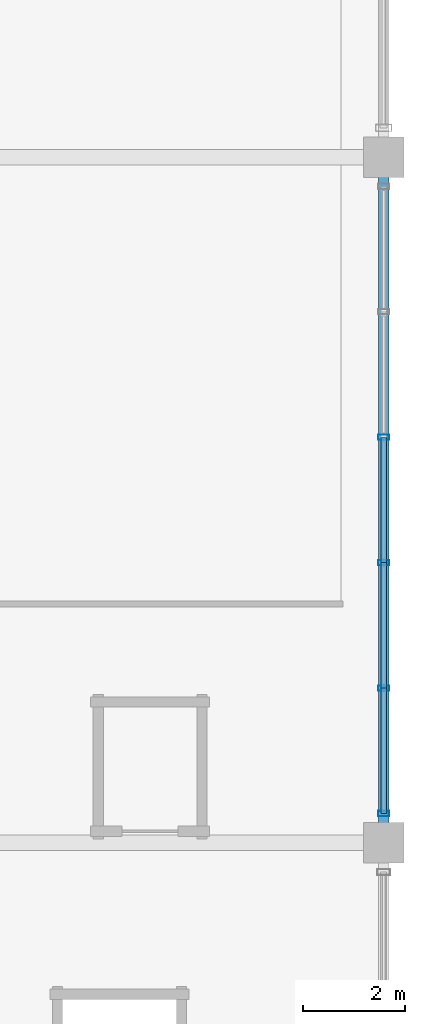
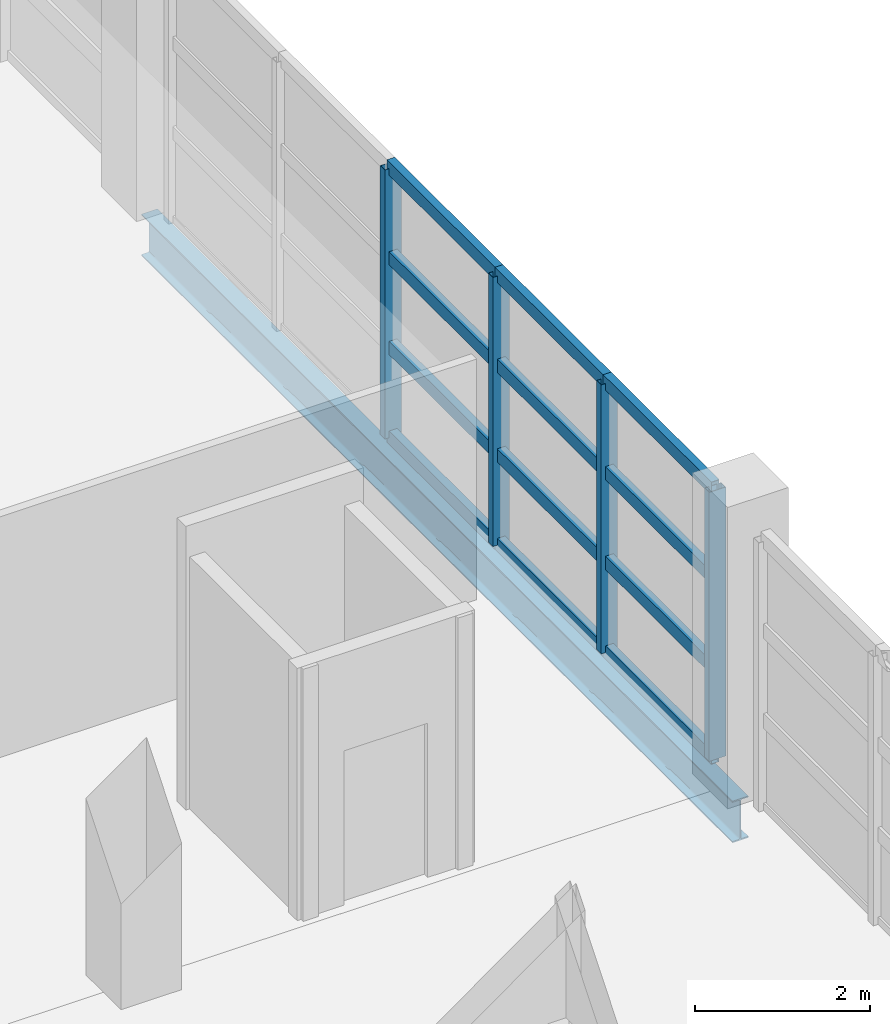
# One storey, part 94 of 136: 16 members, 1 beam, 1 element without a shape of its own.
"""IFC4 building model written with IfcOpenShell, lengths in metres."""

import ifcopenshell
import ifcopenshell.guid

model = None  # the IFC model being written
_history = None  # IfcOwnerHistory: only IFC2X3 demands one
_inside = {}  # id of a spatial element -> (the spatial element, [elements in it])
_under = {}  # id of a project, library or spatial element -> (it, [spatial elements below it])
_declared = {}  # id of a project -> (the project, [libraries it declares])
_typed = {}  # id of a type object -> (the type object, [elements of that type])
_made_of = {}  # id of a material, layer set ... -> (it, [elements and type objects made of it])


def new_model(schema):
    """Start an empty IFC model of exactly this schema.

    Asked for "IFC4X3", IfcOpenShell would pick the latest addendum, in which some entities
    have other attributes; the version numbers below select the first issue.
    IFC2X3 requires an IfcOwnerHistory on every rooted entity: one is made here for all.
    """
    global model, _history
    if schema == "IFC4X3":
        model = ifcopenshell.file(schema_version=(4, 3, 0, 0))
    else:
        model = ifcopenshell.file(schema=schema)
    _inside.clear()
    _under.clear()
    _declared.clear()
    _typed.clear()
    _made_of.clear()
    _history = None
    if model.schema == "IFC2X3":
        org = make("IfcOrganization", Name="unknown")
        user = make(
            "IfcPersonAndOrganization",
            ThePerson=make("IfcPerson", FamilyName="unknown"),
            TheOrganization=org,
        )
        app = make(
            "IfcApplication",
            ApplicationDeveloper=org,
            Version="unknown",
            ApplicationFullName="unknown",
            ApplicationIdentifier="unknown",
        )
        _history = make(
            "IfcOwnerHistory",
            OwningUser=user,
            OwningApplication=app,
            ChangeAction="ADDED",
            CreationDate=0,
        )
    return model


def make(cls, **values):
    """One entity of the class cls with the attributes given. An attribute that is None is left unset."""
    return model.create_entity(
        cls, **{name: value for name, value in values.items() if value is not None}
    )


def rooted(cls, **values):
    """An entity with a GlobalId (a new one), such as an element, a storey or a relation."""
    return make(cls, GlobalId=ifcopenshell.guid.new(), OwnerHistory=_history, **values)


def si_unit(unit_type, name, prefix=None):
    """IfcSIUnit, for example si_unit("LENGTHUNIT", "METRE", prefix="MILLI")."""
    return make("IfcSIUnit", UnitType=unit_type, Prefix=prefix, Name=name)


def assignment(units):
    """IfcUnitAssignment: the units of a project."""
    return None if units is None else make("IfcUnitAssignment", Units=units)


def point(xyz):
    """IfcCartesianPoint."""
    return None if xyz is None else make("IfcCartesianPoint", Coordinates=xyz)


def direction(xyz):
    """IfcDirection."""
    return None if xyz is None else make("IfcDirection", DirectionRatios=xyz)


def frame(location, z_axis=None, x_axis=None):
    """IfcAxis2Placement3D, a coordinate frame: its origin and axes. An axis left out is left unset."""
    return make(
        "IfcAxis2Placement3D",
        Location=point(location),
        Axis=direction(z_axis),
        RefDirection=direction(x_axis),
    )


def frame_2d(location, x_axis=None):
    """IfcAxis2Placement2D, a coordinate frame in the plane: its origin and x axis."""
    return make(
        "IfcAxis2Placement2D", Location=point(location), RefDirection=direction(x_axis)
    )


def origin():
    """The frame at (0, 0, 0) with its axes left unset."""
    return frame((0.0, 0.0, 0.0))


def origin_2d():
    """The frame at (0, 0) in the plane with its x axis left unset."""
    return frame_2d((0.0, 0.0))


def place(relative_to, where):
    """IfcLocalPlacement: puts the frame where relative to a parent placement (None: the world)."""
    return make(
        "IfcLocalPlacement", PlacementRelTo=relative_to, RelativePlacement=where
    )


def context(
    kind, dimensions, precision=None, world=None, true_north=None, identifier=None
):
    """IfcGeometricRepresentationContext, for example the 3D "Model" context."""
    return make(
        "IfcGeometricRepresentationContext",
        ContextIdentifier=identifier,
        ContextType=kind,
        CoordinateSpaceDimension=dimensions,
        Precision=precision,
        WorldCoordinateSystem=world,
        TrueNorth=true_north,
    )


def subcontext(parent, identifier, kind, view, scale=None):
    """IfcGeometricRepresentationSubContext, for example "Body" below "Model"."""
    return make(
        "IfcGeometricRepresentationSubContext",
        ContextIdentifier=identifier,
        ContextType=kind,
        ParentContext=parent,
        TargetScale=scale,
        TargetView=view,
    )


def project(units=None, contexts=None):
    """IfcProject with its units and contexts."""
    return rooted(
        "IfcProject",
        Name="project",
        RepresentationContexts=contexts,
        UnitsInContext=assignment(units),
    )


def spatial(cls, under=None, at=None, **own):
    """A site, building, storey or space (cls), placed at a placement, below another one or the project."""
    s = rooted(cls, ObjectPlacement=at, **own)
    if under is not None:
        _under.setdefault(under.id(), (under, []))[1].append(s)
    return s


def profile(cls, at=None, kind="AREA", **sizes):
    """A parametric profile (cls). Its sizes go by their IFC names, for example OverallWidth=200.0."""
    return make(cls, ProfileType=kind, Position=at, **sizes)


def hollow_rectangle(**sizes):
    """IfcRectangleHollowProfileDef."""
    return profile("IfcRectangleHollowProfileDef", **sizes)


def i_section(**sizes):
    """IfcIShapeProfileDef."""
    return profile("IfcIShapeProfileDef", **sizes)


def extrude(swept, where, along, depth):
    """IfcExtrudedAreaSolid: the profile swept, set in the frame where, extruded along a direction by depth."""
    return make(
        "IfcExtrudedAreaSolid",
        SweptArea=swept,
        Position=where,
        ExtrudedDirection=direction(along),
        Depth=depth,
    )


def shape(context_of_items, identifier, shape_type, items):
    """IfcShapeRepresentation: the items that make up one representation, for example the "Body"."""
    return make(
        "IfcShapeRepresentation",
        ContextOfItems=context_of_items,
        RepresentationIdentifier=identifier,
        RepresentationType=shape_type,
        Items=items,
    )


def material(Name=None, Category=None):
    """IfcMaterial."""
    return make("IfcMaterial", Name=Name, Category=Category)


def material_profile(
    of_material, cross_section, Name=None, Category=None, Priority=None
):
    """IfcMaterialProfile: a cross section and its material."""
    return make(
        "IfcMaterialProfile",
        Name=Name,
        Material=of_material,
        Profile=cross_section,
        Priority=Priority,
        Category=Category,
    )


def profile_set(profiles, Name=None, composite=None):
    """IfcMaterialProfileSet."""
    return make(
        "IfcMaterialProfileSet",
        Name=Name,
        MaterialProfiles=profiles,
        CompositeProfile=composite,
    )


def made_of(thing, what):
    """Note that an element or type object is made of a material, layer set ...; save() writes the relation."""
    if what is not None:
        _made_of.setdefault(what.id(), (what, []))[1].append(thing)
    return thing


def type_object(cls, material=None, **own):
    """A type object (cls), such as IfcWallType, which elements share."""
    return made_of(rooted(cls, **own), material)


def element(
    cls,
    number,
    at=None,
    inside=None,
    cuts=None,
    type_object=None,
    material=None,
    context=None,
    identifier="Body",
    shape_type=None,
    held_by="IfcProductDefinitionShape",
    body=None,
    shapes=None,
    **own,
):
    """One element of the class cls, such as IfcWall. Its Tag is "e" and its number.

    at: its placement. inside: the storey or other place that contains it. cuts: it is an
    opening in that element (IfcRelVoidsElement). A single representation is given by context,
    identifier, shape_type and body (its items); several are given by shapes. held_by: the class
    of the entity that holds the representations. save() writes the other relations.
    """
    e = rooted(cls, Tag="e%d" % number, ObjectPlacement=at, **own)
    if body is not None:
        shapes = [shape(context, identifier, shape_type, body)]
    if shapes is not None:
        e.Representation = make(held_by, Representations=shapes)
    if inside is not None:
        _inside.setdefault(inside.id(), (inside, []))[1].append(e)
    if cuts is not None:
        rooted(
            "IfcRelVoidsElement", RelatingBuildingElement=cuts, RelatedOpeningElement=e
        )
    if type_object is not None:
        _typed.setdefault(type_object.id(), (type_object, []))[1].append(e)
    return made_of(e, material)


def aggregate(whole, parts):
    """IfcRelAggregates: a whole, such as a stair, and the parts it consists of."""
    return rooted("IfcRelAggregates", RelatingObject=whole, RelatedObjects=parts)


def save(model, path):
    """Write the relations noted so far, then the file.

    IfcRelAggregates (storeys below a building ...), IfcRelContainedInSpatialStructure (elements
    in a storey), IfcRelDefinesByType, IfcRelAssociatesMaterial and IfcRelDeclares: one each for
    every whole, place, type object, material and project.
    """
    for whole, parts in _under.values():
        aggregate(whole, parts)
    for where, things in _inside.values():
        rooted(
            "IfcRelContainedInSpatialStructure",
            RelatedElements=things,
            RelatingStructure=where,
        )
    for kind, things in _typed.values():
        rooted("IfcRelDefinesByType", RelatedObjects=things, RelatingType=kind)
    for what, things in _made_of.values():
        rooted("IfcRelAssociatesMaterial", RelatedObjects=things, RelatingMaterial=what)
    for by, libraries in _declared.values():
        rooted("IfcRelDeclares", RelatingContext=by, RelatedDefinitions=libraries)
    model.write(path)


model = new_model("IFC4")

# Units and contexts
model_context = context("Model", 3, precision=1e-05, world=origin(), true_north=direction((0.0, 1.0)))
body_context = subcontext(model_context, "Body", "Model", "MODEL_VIEW")
ifc_project = project(units=[si_unit("LENGTHUNIT", "METRE"), si_unit("AREAUNIT", "SQUARE_METRE"), si_unit("VOLUMEUNIT", "CUBIC_METRE"), si_unit("PLANEANGLEUNIT", "RADIAN"), si_unit("MASSUNIT", "GRAM", prefix="KILO")], contexts=[model_context])

# Site, building, storey
site_placement = place(None, origin())
site = spatial("IfcSite", under=ifc_project, at=site_placement, CompositionType="ELEMENT")
building_placement = place(site_placement, origin())
building = spatial("IfcBuilding", under=site, at=building_placement, Name="Chuanluo Vaults Station", CompositionType="ELEMENT")
storey_placement = place(building_placement, frame((0.0, 0.0, 6.60009765625)))
storey = spatial("IfcBuildingStorey", under=building, at=storey_placement, Name="L01", CompositionType="ELEMENT", Elevation=6.60009765625)

# Beam
ifc_material_1 = material(Name="Steel Q355C", Category="steel")
ifc_material_profile_1 = material_profile(ifc_material_1, i_section(OverallWidth=0.2099609375, OverallDepth=0.580078125, WebThickness=0.010986328125, FlangeThickness=0.01708984375, FilletRadius=0.01806640625, at=origin_2d()))
ifc_profile_set_1 = profile_set([ifc_material_profile_1], Name="Steel Q355C")
beam_type = type_object("IfcBeamType", Name="BM-SPN-600", PredefinedType="SPANDREL", material=ifc_profile_set_1)
beam_placement = place(storey_placement, frame((188.0, 103.5, -0.530029296875), z_axis=(0.0, 1.0, 0.0), x_axis=(-1.0, 0.0, 0.0)))
element("IfcBeam", 1, at=beam_placement, inside=storey, type_object=beam_type, Name="Floor girder BM:GY:L01:0533", PredefinedType="SPANDREL", context=body_context, shape_type="SweptSolid", body=[
    extrude(i_section(OverallWidth=0.2099609375, OverallDepth=0.580078125, WebThickness=0.010986328125, FlangeThickness=0.01708984375, FilletRadius=0.01806640625, at=origin_2d()), origin(), (0.0, 0.0, 1.0), 13.5),
])

# Curtain wall, members
ifc_material_2 = material(Name="Anodised aluminium 6063-T6", Category="aluminium")
curtain_wall_type = type_object("IfcCurtainWallType", Name="CW-SYS-28", PredefinedType="NOTDEFINED", material=ifc_material_2)
curtain_wall_placement = place(storey_placement, origin())
curtain_wall = element("IfcCurtainWall", 2, at=curtain_wall_placement, inside=storey, type_object=curtain_wall_type, Name="Operations L01 facade CW", PredefinedType="NOTDEFINED")
ifc_material_3 = material(Name="Anodised aluminium 6063-T6", Category="aluminium")
ifc_material_profile_2 = material_profile(ifc_material_3, hollow_rectangle(XDim=0.10498046875, YDim=0.219970703125, WallThickness=0.006103515625, at=origin_2d()))
ifc_profile_set_2 = profile_set([ifc_material_profile_2], Name="Anodised aluminium 6063-T6")
member_type_1 = type_object("IfcMemberType", Name="CWM-140", PredefinedType="MULLION", material=ifc_profile_set_2)
member_1_placement = place(storey_placement, frame((188.0, 111.485107421875, 0.0), z_axis=(0.0, 0.0, 1.0), x_axis=(0.0, -1.0, 0.0)))
member_1 = element("IfcMember", 3, at=member_1_placement, type_object=member_type_1, Name="Operations L01 facade CW mullion 3", PredefinedType="MULLION", context=body_context, shape_type="SweptSolid", body=[
    extrude(hollow_rectangle(XDim=0.10498046875, YDim=0.219970703125, WallThickness=0.006103515625, at=origin_2d()), origin(), (0.0, 0.0, 1.0), 3.75),
])
member_2_placement = place(storey_placement, frame((188.0, 109.014892578125, 0.0), z_axis=(0.0, 0.0, 1.0), x_axis=(0.0, -1.0, 0.0)))
member_2 = element("IfcMember", 4, at=member_2_placement, type_object=member_type_1, Name="Operations L01 facade CW mullion 4", PredefinedType="MULLION", context=body_context, shape_type="SweptSolid", body=[
    extrude(hollow_rectangle(XDim=0.10498046875, YDim=0.219970703125, WallThickness=0.006103515625, at=origin_2d()), origin(), (0.0, 0.0, 1.0), 3.75),
])
member_3_placement = place(storey_placement, frame((188.0, 106.544921875, 0.0), z_axis=(0.0, 0.0, 1.0), x_axis=(0.0, -1.0, 0.0)))
member_3 = element("IfcMember", 5, at=member_3_placement, type_object=member_type_1, Name="Operations L01 facade CW mullion 5", PredefinedType="MULLION", context=body_context, shape_type="SweptSolid", body=[
    extrude(hollow_rectangle(XDim=0.10498046875, YDim=0.219970703125, WallThickness=0.006103515625, at=origin_2d()), origin(), (0.0, 0.0, 1.0), 3.75),
])
member_4_placement = place(storey_placement, frame((188.0, 104.074951171875, 0.0), z_axis=(0.0, 0.0, 1.0), x_axis=(0.0, -1.0, 0.0)))
member_4 = element("IfcMember", 6, at=member_4_placement, type_object=member_type_1, Name="Operations L01 facade CW mullion 6", PredefinedType="MULLION", context=body_context, shape_type="SweptSolid", body=[
    extrude(hollow_rectangle(XDim=0.10498046875, YDim=0.219970703125, WallThickness=0.006103515625, at=origin_2d()), origin(), (0.0, 0.0, 1.0), 3.75),
])
ifc_material_4 = material(Name="Anodised aluminium 6063-T6", Category="aluminium")
ifc_material_profile_3 = material_profile(ifc_material_4, hollow_rectangle(XDim=0.10498046875, YDim=0.18505859375, WallThickness=0.0048828125, at=origin_2d()))
ifc_profile_set_3 = profile_set([ifc_material_profile_3], Name="Anodised aluminium 6063-T6")
member_type_2 = type_object("IfcMemberType", Name="CWT-110", PredefinedType="USERDEFINED", material=ifc_profile_set_3)
member_5_placement = place(storey_placement, frame((188.0, 111.485107421875, 0.0), z_axis=(0.0, -1.0, 0.0), x_axis=(1.0, 0.0, 0.0)))
member_5 = element("IfcMember", 7, at=member_5_placement, type_object=member_type_2, Name="Operations L01 facade CW transom 3.1", ObjectType="TRANSOM", PredefinedType="USERDEFINED", context=body_context, shape_type="SweptSolid", body=[
    extrude(hollow_rectangle(XDim=0.10498046875, YDim=0.18505859375, WallThickness=0.0048828125, at=origin_2d()), origin(), (0.0, 0.0, 1.0), 2.47021484375),
])
member_6_placement = place(storey_placement, frame((188.0, 111.485107421875, 1.25), z_axis=(0.0, -1.0, 0.0), x_axis=(1.0, 0.0, 0.0)))
member_6 = element("IfcMember", 8, at=member_6_placement, type_object=member_type_2, Name="Operations L01 facade CW transom 3.2", ObjectType="TRANSOM", PredefinedType="USERDEFINED", context=body_context, shape_type="SweptSolid", body=[
    extrude(hollow_rectangle(XDim=0.10498046875, YDim=0.18505859375, WallThickness=0.0048828125, at=origin_2d()), origin(), (0.0, 0.0, 1.0), 2.47021484375),
])
member_7_placement = place(storey_placement, frame((188.0, 111.485107421875, 2.5), z_axis=(0.0, -1.0, 0.0), x_axis=(1.0, 0.0, 0.0)))
member_7 = element("IfcMember", 9, at=member_7_placement, type_object=member_type_2, Name="Operations L01 facade CW transom 3.3", ObjectType="TRANSOM", PredefinedType="USERDEFINED", context=body_context, shape_type="SweptSolid", body=[
    extrude(hollow_rectangle(XDim=0.10498046875, YDim=0.18505859375, WallThickness=0.0048828125, at=origin_2d()), origin(), (0.0, 0.0, 1.0), 2.47021484375),
])
member_8_placement = place(storey_placement, frame((188.0, 111.485107421875, 3.75), z_axis=(0.0, -1.0, 0.0), x_axis=(1.0, 0.0, 0.0)))
member_8 = element("IfcMember", 10, at=member_8_placement, type_object=member_type_2, Name="Operations L01 facade CW transom 3.4", ObjectType="TRANSOM", PredefinedType="USERDEFINED", context=body_context, shape_type="SweptSolid", body=[
    extrude(hollow_rectangle(XDim=0.10498046875, YDim=0.18505859375, WallThickness=0.0048828125, at=origin_2d()), origin(), (0.0, 0.0, 1.0), 2.47021484375),
])
member_9_placement = place(storey_placement, frame((188.0, 109.014892578125, 0.0), z_axis=(0.0, -1.0, 0.0), x_axis=(1.0, 0.0, 0.0)))
member_9 = element("IfcMember", 11, at=member_9_placement, type_object=member_type_2, Name="Operations L01 facade CW transom 4.1", ObjectType="TRANSOM", PredefinedType="USERDEFINED", context=body_context, shape_type="SweptSolid", body=[
    extrude(hollow_rectangle(XDim=0.10498046875, YDim=0.18505859375, WallThickness=0.0048828125, at=origin_2d()), origin(), (0.0, 0.0, 1.0), 2.469970703125),
])
member_10_placement = place(storey_placement, frame((188.0, 109.014892578125, 1.25), z_axis=(0.0, -1.0, 0.0), x_axis=(1.0, 0.0, 0.0)))
member_10 = element("IfcMember", 12, at=member_10_placement, type_object=member_type_2, Name="Operations L01 facade CW transom 4.2", ObjectType="TRANSOM", PredefinedType="USERDEFINED", context=body_context, shape_type="SweptSolid", body=[
    extrude(hollow_rectangle(XDim=0.10498046875, YDim=0.18505859375, WallThickness=0.0048828125, at=origin_2d()), origin(), (0.0, 0.0, 1.0), 2.469970703125),
])
member_11_placement = place(storey_placement, frame((188.0, 109.014892578125, 2.5), z_axis=(0.0, -1.0, 0.0), x_axis=(1.0, 0.0, 0.0)))
member_11 = element("IfcMember", 13, at=member_11_placement, type_object=member_type_2, Name="Operations L01 facade CW transom 4.3", ObjectType="TRANSOM", PredefinedType="USERDEFINED", context=body_context, shape_type="SweptSolid", body=[
    extrude(hollow_rectangle(XDim=0.10498046875, YDim=0.18505859375, WallThickness=0.0048828125, at=origin_2d()), origin(), (0.0, 0.0, 1.0), 2.469970703125),
])
member_12_placement = place(storey_placement, frame((188.0, 109.014892578125, 3.75), z_axis=(0.0, -1.0, 0.0), x_axis=(1.0, 0.0, 0.0)))
member_12 = element("IfcMember", 14, at=member_12_placement, type_object=member_type_2, Name="Operations L01 facade CW transom 4.4", ObjectType="TRANSOM", PredefinedType="USERDEFINED", context=body_context, shape_type="SweptSolid", body=[
    extrude(hollow_rectangle(XDim=0.10498046875, YDim=0.18505859375, WallThickness=0.0048828125, at=origin_2d()), origin(), (0.0, 0.0, 1.0), 2.469970703125),
])
member_13_placement = place(storey_placement, frame((188.0, 106.544921875, 0.0), z_axis=(0.0, -1.0, 0.0), x_axis=(1.0, 0.0, 0.0)))
member_13 = element("IfcMember", 15, at=member_13_placement, type_object=member_type_2, Name="Operations L01 facade CW transom 5.1", ObjectType="TRANSOM", PredefinedType="USERDEFINED", context=body_context, shape_type="SweptSolid", body=[
    extrude(hollow_rectangle(XDim=0.10498046875, YDim=0.18505859375, WallThickness=0.0048828125, at=origin_2d()), origin(), (0.0, 0.0, 1.0), 2.469970703125),
])
member_14_placement = place(storey_placement, frame((188.0, 106.544921875, 1.25), z_axis=(0.0, -1.0, 0.0), x_axis=(1.0, 0.0, 0.0)))
member_14 = element("IfcMember", 16, at=member_14_placement, type_object=member_type_2, Name="Operations L01 facade CW transom 5.2", ObjectType="TRANSOM", PredefinedType="USERDEFINED", context=body_context, shape_type="SweptSolid", body=[
    extrude(hollow_rectangle(XDim=0.10498046875, YDim=0.18505859375, WallThickness=0.0048828125, at=origin_2d()), origin(), (0.0, 0.0, 1.0), 2.469970703125),
])
member_15_placement = place(storey_placement, frame((188.0, 106.544921875, 2.5), z_axis=(0.0, -1.0, 0.0), x_axis=(1.0, 0.0, 0.0)))
member_15 = element("IfcMember", 17, at=member_15_placement, type_object=member_type_2, Name="Operations L01 facade CW transom 5.3", ObjectType="TRANSOM", PredefinedType="USERDEFINED", context=body_context, shape_type="SweptSolid", body=[
    extrude(hollow_rectangle(XDim=0.10498046875, YDim=0.18505859375, WallThickness=0.0048828125, at=origin_2d()), origin(), (0.0, 0.0, 1.0), 2.469970703125),
])
member_16_placement = place(storey_placement, frame((188.0, 106.544921875, 3.75), z_axis=(0.0, -1.0, 0.0), x_axis=(1.0, 0.0, 0.0)))
member_16 = element("IfcMember", 18, at=member_16_placement, type_object=member_type_2, Name="Operations L01 facade CW transom 5.4", ObjectType="TRANSOM", PredefinedType="USERDEFINED", context=body_context, shape_type="SweptSolid", body=[
    extrude(hollow_rectangle(XDim=0.10498046875, YDim=0.18505859375, WallThickness=0.0048828125, at=origin_2d()), origin(), (0.0, 0.0, 1.0), 2.469970703125),
])
aggregate(curtain_wall, [member_1, member_2, member_3, member_4, member_5, member_6, member_7, member_8, member_9, member_10, member_11, member_12, member_13, member_14, member_15, member_16])

save(model, "model.ifc")
